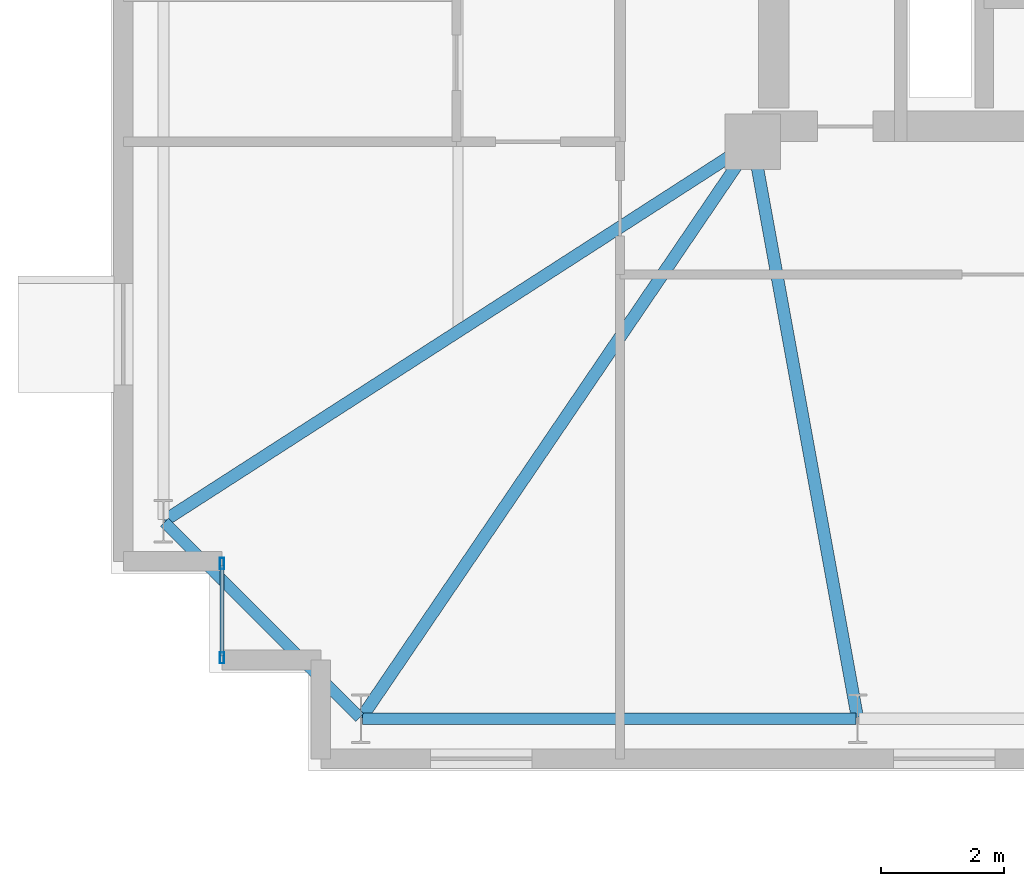
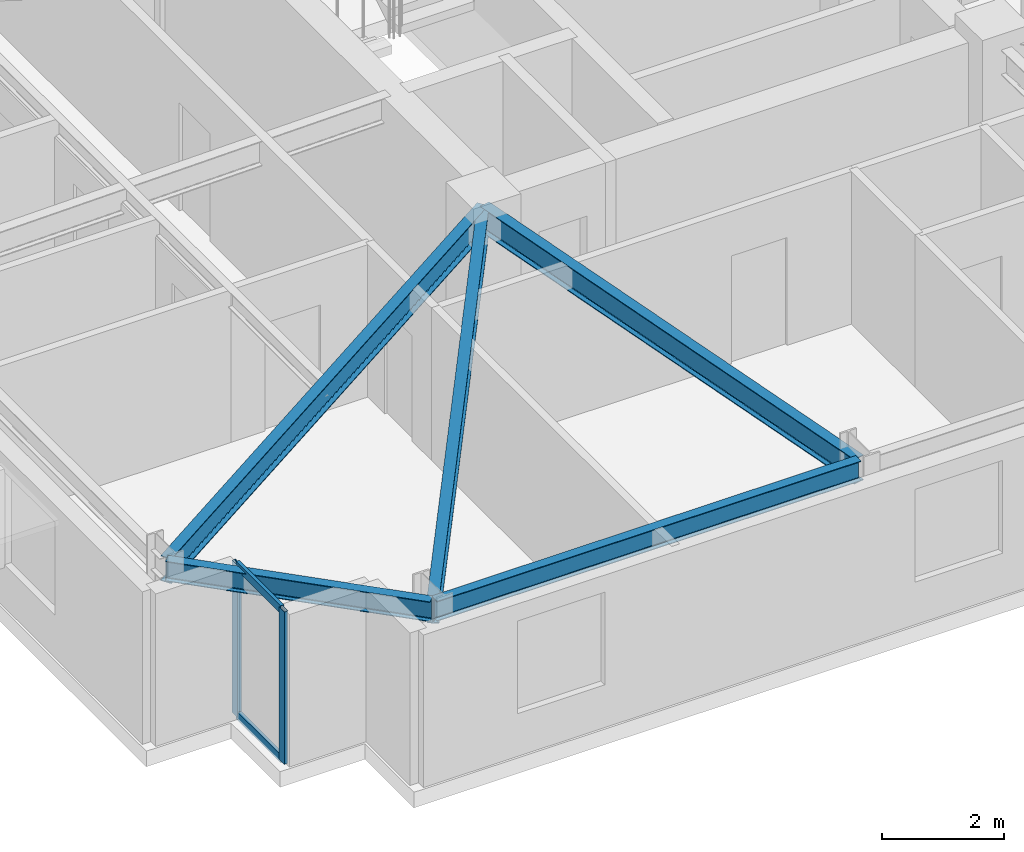
# One storey, part 3 of 18: 5 beams, 4 members, 1 element without a shape of its own.
"""IFC4 building model written with IfcOpenShell, lengths in metres."""

from ifc_helpers import new_model, si_unit, direction, frame, origin, origin_2d, place, context, subcontext, project, spatial, hollow_rectangle, i_section, extrude, material, layer, layer_set, material_profile, profile_set, type_object, element, aggregate, save


model = new_model("IFC4")

# Units and contexts
model_context = context("Model", 3, precision=1e-05, world=origin(), true_north=direction((0.0, 1.0)))
body_context = subcontext(model_context, "Body", "Model", "MODEL_VIEW")
ifc_project = project(units=[si_unit("LENGTHUNIT", "METRE"), si_unit("AREAUNIT", "SQUARE_METRE"), si_unit("VOLUMEUNIT", "CUBIC_METRE"), si_unit("PLANEANGLEUNIT", "RADIAN"), si_unit("MASSUNIT", "GRAM", prefix="KILO")], contexts=[model_context])

# Site, building, storey
site_placement = place(None, origin())
site = spatial("IfcSite", under=ifc_project, at=site_placement, CompositionType="ELEMENT")
building_placement = place(site_placement, origin())
building = spatial("IfcBuilding", under=site, at=building_placement, Name="Qobustan Lattice House", CompositionType="ELEMENT")
storey_placement = place(building_placement, frame((0.0, 0.0, 134.35009765625)))
storey = spatial("IfcBuildingStorey", under=building, at=storey_placement, Name="L37", CompositionType="ELEMENT", Elevation=134.35009765625)

# Beams
ifc_material_1 = material(Name="Steel S355", Category="steel")
ifc_material_profile_1 = material_profile(ifc_material_1, i_section(OverallWidth=0.199951171875, OverallDepth=0.5, WebThickness=0.01025390625, FlangeThickness=0.01611328125, FilletRadius=0.02099609375, at=origin_2d()), Name="IPE500")
ifc_profile_set_1 = profile_set([ifc_material_profile_1], Name="Steel S355")
beam_type_1 = type_object("IfcBeamType", Name="BM-FLG-IPE500", PredefinedType="USERDEFINED", material=ifc_profile_set_1)
beam_1_placement = place(storey_placement, frame((-25.135986328125, -14.92919921875, 2.789794921875), z_axis=(0.561834572616, 0.827249607442, 0.0), x_axis=(-0.827249607442, 0.561834572616, 0.0)))
element("IfcBeam", 1, at=beam_1_placement, inside=storey, type_object=beam_type_1, Name="L37 primary floor girder RAD-S1W", ObjectType="GIRDER", PredefinedType="USERDEFINED", context=body_context, shape_type="SweptSolid", body=[
    extrude(i_section(OverallWidth=0.199951171875, OverallDepth=0.5, WebThickness=0.01025390625, FlangeThickness=0.01611328125, FilletRadius=0.02099609375, at=origin_2d()), origin(), (0.0, 0.0, 1.0), 11.25244140625),
])
beam_2_placement = place(storey_placement, frame((-17.1044921875, -14.92529296875, 2.789794921875), z_axis=(-0.178871801984, 0.983872389314, 0.0), x_axis=(-0.983872389314, -0.178871801984, 0.0)))
element("IfcBeam", 2, at=beam_2_placement, inside=storey, type_object=beam_type_1, Name="L37 primary floor girder RAD-S2", ObjectType="GIRDER", PredefinedType="USERDEFINED", context=body_context, shape_type="SweptSolid", body=[
    extrude(i_section(OverallWidth=0.199951171875, OverallDepth=0.5, WebThickness=0.01025390625, FlangeThickness=0.01611328125, FilletRadius=0.02099609375, at=origin_2d()), origin(), (0.0, 0.0, 1.0), 9.453125),
])
beam_3_placement = place(storey_placement, frame((-28.3291015625, -11.736572265625, 2.789794921875), z_axis=(0.840746836292, 0.5414284415, 0.0), x_axis=(-0.5414284415, 0.840746836292, 0.0)))
element("IfcBeam", 3, at=beam_3_placement, inside=storey, type_object=beam_type_1, Name="L37 primary floor girder RAD-W4", ObjectType="GIRDER", PredefinedType="USERDEFINED", context=body_context, shape_type="SweptSolid", body=[
    extrude(i_section(OverallWidth=0.199951171875, OverallDepth=0.5, WebThickness=0.01025390625, FlangeThickness=0.01611328125, FilletRadius=0.02099609375, at=origin_2d()), origin(), (0.0, 0.0, 1.0), 11.30908203125),
])
ifc_material_2 = material(Name="Steel S355", Category="steel")
ifc_material_profile_2 = material_profile(ifc_material_2, i_section(OverallWidth=0.179931640625, OverallDepth=0.39990234375, WebThickness=0.008544921875, FlangeThickness=0.013427734375, FilletRadius=0.02099609375, at=origin_2d()), Name="IPE400")
ifc_profile_set_2 = profile_set([ifc_material_profile_2], Name="Steel S355")
beam_type_2 = type_object("IfcBeamType", Name="BM-SPD-IPE400", PredefinedType="SPANDREL", material=ifc_profile_set_2)
beam_4_placement = place(storey_placement, frame((-25.125, -14.949951171875, 2.83984375), z_axis=(1.0, 0.0, 0.0), x_axis=(0.0, 1.0, 0.0)))
element("IfcBeam", 4, at=beam_4_placement, inside=storey, type_object=beam_type_2, Name="L37 perimeter spandrel S1-S2", PredefinedType="SPANDREL", context=body_context, shape_type="SweptSolid", body=[
    extrude(i_section(OverallWidth=0.179931640625, OverallDepth=0.39990234375, WebThickness=0.008544921875, FlangeThickness=0.013427734375, FilletRadius=0.02099609375, at=origin_2d()), origin(), (0.0, 0.0, 1.0), 8.0),
])
beam_5_placement = place(storey_placement, frame((-28.332275390625, -11.767578125, 2.83984375), z_axis=(0.707079505568, -0.707134055753, 0.0), x_axis=(0.707134055753, 0.707079505568, 0.0)))
element("IfcBeam", 5, at=beam_5_placement, inside=storey, type_object=beam_type_2, Name="L37 perimeter spandrel W4-S1", PredefinedType="SPANDREL", context=body_context, shape_type="SweptSolid", body=[
    extrude(i_section(OverallWidth=0.179931640625, OverallDepth=0.39990234375, WebThickness=0.008544921875, FlangeThickness=0.013427734375, FilletRadius=0.02099609375, at=origin_2d()), origin(), (0.0, 0.0, 1.0), 4.4755859375),
])

# Curtain wall, members
ifc_material_3 = material(Name="Anodised aluminium and low-E glazing", Category="aluminium")
ifc_layer = layer(ifc_material_3, 0.219970703125)
ifc_layer_set = layer_set([ifc_layer], Name="Anodised aluminium and low-E glazing")
curtain_wall_type = type_object("IfcCurtainWallType", Name="CW-FAC-02", PredefinedType="USERDEFINED", material=ifc_layer_set)
curtain_wall_placement = place(storey_placement, origin())
curtain_wall = element("IfcCurtainWall", 6, at=curtain_wall_placement, inside=storey, type_object=curtain_wall_type, Name="L37 serrated corner faceted glazing 3", ObjectType="CURTAIN WALL", PredefinedType="USERDEFINED")
ifc_material_4 = material(Name="Anodised aluminium EN AW-6063 T6", Category="aluminium")
ifc_material_profile_3 = material_profile(ifc_material_4, hollow_rectangle(XDim=0.070068359375, YDim=0.179931640625, WallThickness=0.00439453125, at=origin_2d()), Name="CWM-180x70")
ifc_profile_set_3 = profile_set([ifc_material_profile_3], Name="Anodised aluminium EN AW-6063 T6")
member_type_1 = type_object("IfcMemberType", Name="CWM-STD-180", PredefinedType="MULLION", material=ifc_profile_set_3)
member_1_placement = place(storey_placement, frame((-27.39990234375, -13.965087890625, 0.0), z_axis=(0.0, 0.0, 1.0), x_axis=(-1.0, 0.0, 0.0)))
member_1 = element("IfcMember", 7, at=member_1_placement, type_object=member_type_1, Name="CW-F2 mullion 1", PredefinedType="MULLION", context=body_context, shape_type="SweptSolid", body=[
    extrude(hollow_rectangle(XDim=0.070068359375, YDim=0.179931640625, WallThickness=0.00439453125, at=origin_2d()), origin(), (0.0, 0.0, 1.0), 3.039794921875),
])
member_2_placement = place(storey_placement, frame((-27.39990234375, -12.43505859375, 0.0), z_axis=(0.0, 0.0, 1.0), x_axis=(-1.0, 0.0, 0.0)))
member_2 = element("IfcMember", 8, at=member_2_placement, type_object=member_type_1, Name="CW-F2 mullion 2", PredefinedType="MULLION", context=body_context, shape_type="SweptSolid", body=[
    extrude(hollow_rectangle(XDim=0.070068359375, YDim=0.179931640625, WallThickness=0.00439453125, at=origin_2d()), origin(), (0.0, 0.0, 1.0), 3.039794921875),
])
ifc_material_5 = material(Name="Anodised aluminium EN AW-6063 T6", Category="aluminium")
ifc_material_profile_4 = material_profile(ifc_material_5, hollow_rectangle(XDim=0.06494140625, YDim=0.159912109375, WallThickness=0.00390625, at=origin_2d()), Name="CWT-160x65")
ifc_profile_set_4 = profile_set([ifc_material_profile_4], Name="Anodised aluminium EN AW-6063 T6")
member_type_2 = type_object("IfcMemberType", Name="CWT-HOR-160", PredefinedType="USERDEFINED", material=ifc_profile_set_4)
member_3_placement = place(storey_placement, frame((-27.39990234375, -13.929931640625, 0.032470703125), z_axis=(0.0, 1.0, 0.0), x_axis=(-1.0, 0.0, 0.0)))
member_3 = element("IfcMember", 9, at=member_3_placement, type_object=member_type_2, Name="CW-F2 transom 1.1", ObjectType="TRANSOM", PredefinedType="USERDEFINED", context=body_context, shape_type="SweptSolid", body=[
    extrude(hollow_rectangle(XDim=0.06494140625, YDim=0.159912109375, WallThickness=0.00390625, at=origin_2d()), origin(), (0.0, 0.0, 1.0), 1.4599609375),
])
member_4_placement = place(storey_placement, frame((-27.39990234375, -13.929931640625, 3.00732421875), z_axis=(0.0, 1.0, 0.0), x_axis=(-1.0, 0.0, 0.0)))
member_4 = element("IfcMember", 10, at=member_4_placement, type_object=member_type_2, Name="CW-F2 transom 1.2", ObjectType="TRANSOM", PredefinedType="USERDEFINED", context=body_context, shape_type="SweptSolid", body=[
    extrude(hollow_rectangle(XDim=0.06494140625, YDim=0.159912109375, WallThickness=0.00390625, at=origin_2d()), origin(), (0.0, 0.0, 1.0), 1.4599609375),
])
aggregate(curtain_wall, [member_1, member_2, member_3, member_4])

save(model, "model.ifc")
